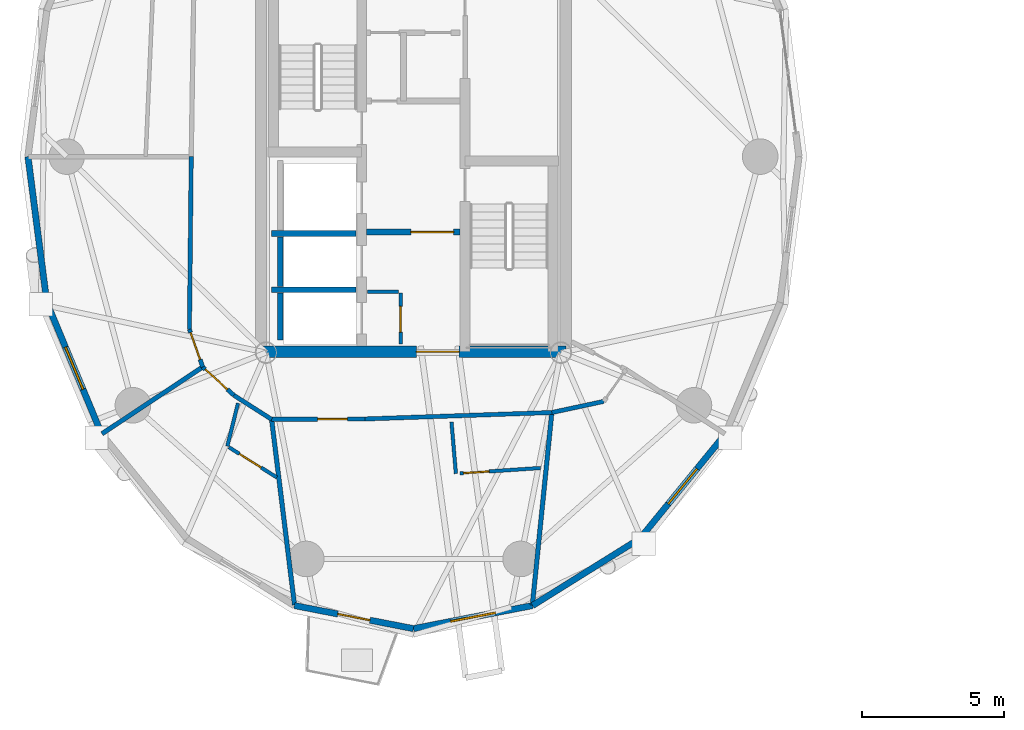
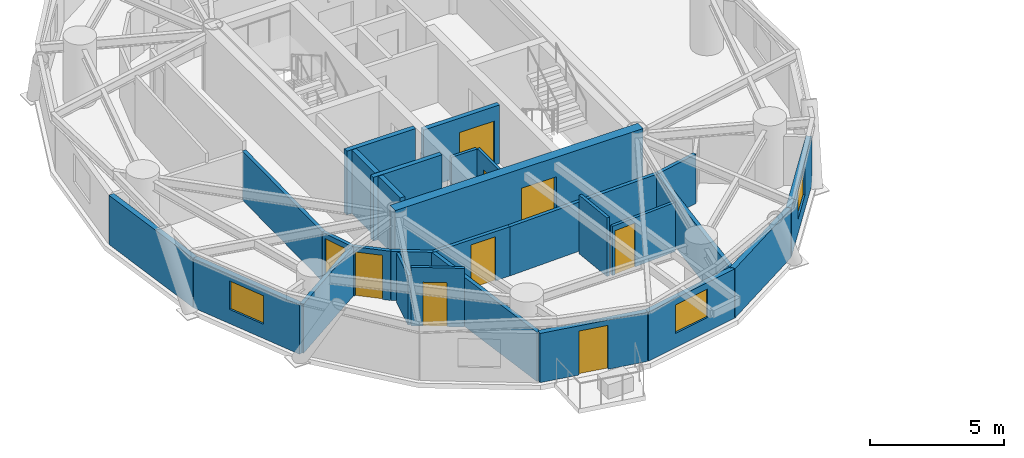
# One storey, part 10 of 19: 28 walls, 9 doors, 3 windows, 12 openings.
"""IFC4 building model written with IfcOpenShell, lengths in metres."""

from ifc_helpers import new_model, si_unit, direction, frame, frame_2d, origin, place, context, subcontext, project, spatial, rectangle, extrude, source, transform, mapped, material, layer, layer_set, type_object, element, fill, save


model = new_model("IFC4")

# Units and contexts
model_context = context("Model", 3, precision=1e-05, world=origin(), true_north=direction((0.0, 1.0)))
body_context = subcontext(model_context, "Body", "Model", "MODEL_VIEW")
ifc_project = project(units=[si_unit("LENGTHUNIT", "METRE"), si_unit("AREAUNIT", "SQUARE_METRE"), si_unit("VOLUMEUNIT", "CUBIC_METRE"), si_unit("PLANEANGLEUNIT", "RADIAN"), si_unit("MASSUNIT", "GRAM", prefix="KILO")], contexts=[model_context])

# Site, building, storey
site_placement = place(None, origin())
site = spatial("IfcSite", under=ifc_project, at=site_placement, CompositionType="ELEMENT")
building_placement = place(site_placement, origin())
building = spatial("IfcBuilding", under=site, at=building_placement, Name="Cununo Teusaquillo Station Towers", CompositionType="ELEMENT")
storey_placement = place(building_placement, frame((0.0, 0.0, 177.7900390625)))
storey = spatial("IfcBuildingStorey", under=building, at=storey_placement, Name="L56", CompositionType="ELEMENT", Elevation=177.7900390625)

# Walls
ifc_material_1 = material(Name="Concrete C50/60", Category="concrete")
ifc_layer_1 = layer(ifc_material_1, 0.199951171875)
ifc_layer_set_1 = layer_set([ifc_layer_1], Name="Concrete C50/60")
wall_type_1 = type_object("IfcWallType", Name="WL-CORE-200", PredefinedType="SHEAR", material=ifc_layer_set_1)
for number, where, z_axis, x_axis, name in (
    (1, (11.52001953125, 21.800048828125, 0.0), (0.0, 0.0, 1.0), (1.0, 0.0, 0.0), "L56 Tower A Firefighting Lift Shaft South Shear Wall"),
    (2, (11.52001953125, 19.824951171875, 0.0), (0.0, 0.0, 1.0), (1.0, 0.0, 0.0), "L56 Tower A High-Rise Lift Hoistway Divider Shear Wall"),
):
    element("IfcWall", number, at=place(storey_placement, frame(where, z_axis=z_axis, x_axis=x_axis)), inside=storey, type_object=wall_type_1, Name=name, PredefinedType="SHEAR", context=body_context, shape_type="SweptSolid", body=[
        extrude(rectangle(XDim=2.969970703125, YDim=0.199951171875, at=frame_2d((1.48486328125, 0.0))), origin(), (0.0, 0.0, 1.0), 2.909912109375),
    ])
wall_1_placement = place(storey_placement, frame((11.820068359375, 19.945068359375, 0.0), z_axis=(0.0, 0.0, 1.0), x_axis=(0.0, 1.0, 0.0)))
element("IfcWall", 3, at=wall_1_placement, inside=storey, type_object=wall_type_1, Name="L56 Tower A High-Rise Lift 2 Shaft Rear Shear Wall", PredefinedType="SHEAR", context=body_context, shape_type="SweptSolid", body=[
    extrude(rectangle(XDim=1.73486328125, YDim=0.199951171875, at=frame_2d((0.867431640625, 0.0))), origin(), (0.0, 0.0, 1.0), 2.909912109375),
])
wall_2_placement = place(storey_placement, frame((11.820068359375, 18.070068359375, 0.0), z_axis=(0.0, 0.0, 1.0), x_axis=(0.0, 1.0, 0.0)))
element("IfcWall", 4, at=wall_2_placement, inside=storey, type_object=wall_type_1, Name="L56 Tower A High-Rise Lift 1 Shaft Rear Shear Wall", PredefinedType="SHEAR", context=body_context, shape_type="SweptSolid", body=[
    extrude(rectangle(XDim=1.635009765625, YDim=0.199951171875, at=frame_2d((0.8173828125, 0.0))), origin(), (0.0, 0.0, 1.0), 2.909912109375),
])

# Wall, opening, door
ifc_material_2 = material(Name="Concrete C50/60", Category="concrete")
ifc_layer_2 = layer(ifc_material_2, 0.39990234375)
ifc_layer_set_2 = layer_set([ifc_layer_2], Name="Concrete C50/60")
wall_type_2 = type_object("IfcWallType", Name="WL-CORE-400", PredefinedType="SHEAR", material=ifc_layer_set_2)
wall_3_placement = place(storey_placement, frame((11.14990234375, 17.64990234375, 0.0), z_axis=(0.0, 0.0, 1.0), x_axis=(1.0, 0.0, 0.0)))
wall_3 = element("IfcWall", 5, at=wall_3_placement, inside=storey, type_object=wall_type_2, Name="L56 Tower A Core Shear Wall S", PredefinedType="SHEAR", context=body_context, shape_type="SweptSolid", body=[
    extrude(rectangle(XDim=10.7001953125, YDim=0.39990234375, at=frame_2d((5.35009765625, 0.0))), origin(), (0.0, 0.0, 1.0), 2.909912109375),
])
shared_shape_1 = source(origin(), body_context, "Body", "SweptSolid", [
    extrude(rectangle(XDim=1.5, YDim=2.02001953125, at=frame_2d((0.75, 1.010009765625))), frame((0.0, 0.2099609375, 0.0), z_axis=(0.0, -1.0, 0.0), x_axis=(1.0, 0.0, 0.0)), (0.0, 0.0, 1.0), 0.419921875),
])
opening_1_placement = place(wall_3_placement, frame((5.449951171875, 0.0, 0.0)))
opening_1 = element("IfcOpeningElement", 6, at=opening_1_placement, cuts=wall_3, Name="Opening D-LB1", PredefinedType="OPENING", context=body_context, shape_type="MappedRepresentation", body=[
    mapped(shared_shape_1, transform((0.0, 0.0, 0.0), x_axis=(1.0, 0.0, 0.0), y_axis=(0.0, 1.0, 0.0), z_axis=(0.0, 0.0, 1.0), scale=1.0)),
])
ifc_material_3 = material(Name="Galvanised fire-rated hollow steel door assembly", Category="steel")
door_type_1 = type_object("IfcDoorType", Name="DR-LOBBY-1500", OperationType="DOUBLE_DOOR_SINGLE_SWING", PredefinedType="DOOR", material=ifc_material_3)
shared_shape_2 = source(origin(), body_context, "Body", "SweptSolid", [
    extrude(rectangle(XDim=1.5, YDim=2.02001953125, at=frame_2d((0.75, 1.010009765625))), frame((0.0, 0.02490234375, 0.0), z_axis=(0.0, -1.0, 0.0), x_axis=(1.0, 0.0, 0.0)), (0.0, 0.0, 1.0), 0.050048828125),
])
door_1_placement = place(opening_1_placement, origin())
door_1 = element("IfcDoor", 7, at=door_1_placement, inside=storey, type_object=door_type_1, Name="L56 Tower A South Core Lift Lobby Door", OperationType="DOUBLE_DOOR_SINGLE_SWING", OverallHeight=2.02001953125, OverallWidth=1.5, PredefinedType="DOOR", context=body_context, shape_type="MappedRepresentation", body=[
    mapped(shared_shape_2, transform((0.0, 0.0, 0.0), x_axis=(1.0, 0.0, 0.0), y_axis=(0.0, 1.0, 0.0), z_axis=(0.0, 0.0, 1.0), scale=1.0)),
])
fill(opening_1, door_1)

# Wall
ifc_material_4 = material(Name="Precast concrete C40/50", Category="concrete")
ifc_layer_3 = layer(ifc_material_4, 0.219970703125)
ifc_layer_set_3 = layer_set([ifc_layer_3], Name="Precast concrete C40/50")
wall_type_3 = type_object("IfcWallType", Name="WL-EXT-220", PredefinedType="SOLIDWALL", material=ifc_layer_set_3)
wall_4_placement = place(storey_placement, frame((3.63134765625, 19.379638671875, 0.0), z_axis=(0.0, 0.0, 1.0), x_axis=(-0.128287912609, 0.991736966881, 0.0)))
element("IfcWall", 8, at=wall_4_placement, inside=storey, type_object=wall_type_3, Name="L56 Tower A Exterior Facade Wall C10", PredefinedType="SOLIDWALL", context=body_context, shape_type="SweptSolid", body=[
    extrude(rectangle(XDim=5.1630859375, YDim=0.219970703125, at=frame_2d((2.58154296875, 0.0))), origin(), (0.0, 0.0, 1.0), 2.244873046875),
])

# Wall, opening, window
wall_5_placement = place(storey_placement, frame((5.55322265625, 14.760498046875, 0.0), z_axis=(0.0, 0.0, 1.0), x_axis=(-0.384144094086, 0.923273152961, 0.0)))
wall_5 = element("IfcWall", 9, at=wall_5_placement, inside=storey, type_object=wall_type_3, Name="L56 Tower A Exterior Facade Wall C11", PredefinedType="SOLIDWALL", context=body_context, shape_type="SweptSolid", body=[
    extrude(rectangle(XDim=5.0029296875, YDim=0.219970703125, at=frame_2d((2.50146484375, 0.0))), origin(), (0.0, 0.0, 1.0), 2.244873046875),
])
shared_shape_3 = source(origin(), body_context, "Body", "SweptSolid", [
    extrude(rectangle(XDim=1.60009765625, YDim=1.300048828125, at=frame_2d((0.800048828125, 0.64990234375))), frame((0.0, 0.119873046875, 0.0), z_axis=(0.0, -1.0, 0.0), x_axis=(1.0, 0.0, 0.0)), (0.0, 0.0, 1.0), 0.239990234375),
])
opening_2_placement = place(wall_5_placement, frame((1.701904296875, 0.0, 0.64990234375)))
opening_2 = element("IfcOpeningElement", 10, at=opening_2_placement, cuts=wall_5, Name="Opening WN-03", PredefinedType="OPENING", context=body_context, shape_type="MappedRepresentation", body=[
    mapped(shared_shape_3, transform((0.0, 0.0, 0.0), x_axis=(1.0, 0.0, 0.0), y_axis=(0.0, 1.0, 0.0), z_axis=(0.0, 0.0, 1.0), scale=1.0)),
])
ifc_material_5 = material(Name="Ceramic-fritted dark low-E double glazing", Category="glass")
window_type = type_object("IfcWindowType", Name="WIN-CORN-1600", PartitioningType="SINGLE_PANEL", PredefinedType="WINDOW", material=ifc_material_5)
shared_shape_4 = source(origin(), body_context, "Body", "SweptSolid", [
    extrude(rectangle(XDim=1.60009765625, YDim=1.300048828125, at=frame_2d((0.800048828125, 0.64990234375))), frame((0.0, 0.030029296875, 0.0), z_axis=(0.0, -1.0, 0.0), x_axis=(1.0, 0.0, 0.0)), (0.0, 0.0, 1.0), 0.06005859375),
])
window_1_placement = place(opening_2_placement, origin())
window_1 = element("IfcWindow", 11, at=window_1_placement, inside=storey, type_object=window_type, Name="L56 Tower A Facade Window C11", OverallHeight=1.300048828125, OverallWidth=1.60009765625, PartitioningType="SINGLE_PANEL", PredefinedType="WINDOW", context=body_context, shape_type="MappedRepresentation", body=[
    mapped(shared_shape_4, transform((0.0, 0.0, 0.0), x_axis=(1.0, 0.0, 0.0), y_axis=(0.0, 1.0, 0.0), z_axis=(0.0, 0.0, 1.0), scale=1.0)),
])
fill(opening_2, window_1)

# Wall, opening, door
wall_6_placement = place(storey_placement, frame((16.5, 7.929931640625, 0.0), z_axis=(0.0, 0.0, 1.0), x_axis=(-0.981703883443, 0.190413983815, 0.0)))
wall_6 = element("IfcWall", 12, at=wall_6_placement, inside=storey, type_object=wall_type_3, Name="L56 Tower A Exterior Facade Wall C14", PredefinedType="SOLIDWALL", context=body_context, shape_type="SweptSolid", body=[
    extrude(rectangle(XDim=4.25927734375, YDim=0.219970703125, at=frame_2d((2.129638671875, 0.0))), origin(), (0.0, 0.0, 1.0), 2.244873046875),
])
shared_shape_5 = source(origin(), body_context, "Body", "SweptSolid", [
    extrude(rectangle(XDim=1.14990234375, YDim=2.0048828125, at=frame_2d((0.574951171875, 1.00244140625))), frame((0.0, 0.119873046875, 0.0), z_axis=(0.0, -1.0, 0.0), x_axis=(1.0, 0.0, 0.0)), (0.0, 0.0, 1.0), 0.239990234375),
])
opening_3_placement = place(wall_6_placement, frame((1.554931640625, 0.0, 0.0)))
opening_3 = element("IfcOpeningElement", 13, at=opening_3_placement, cuts=wall_6, Name="Opening ED-03", PredefinedType="OPENING", context=body_context, shape_type="MappedRepresentation", body=[
    mapped(shared_shape_5, transform((0.0, 0.0, 0.0), x_axis=(1.0, 0.0, 0.0), y_axis=(0.0, 1.0, 0.0), z_axis=(0.0, 0.0, 1.0), scale=1.0)),
])
ifc_material_6 = material(Name="Anodised dark bronze aluminium EN AW-6063-T6", Category="aluminium")
door_type_2 = type_object("IfcDoorType", Name="DR-EXT-BAL", OperationType="NOTDEFINED", PredefinedType="DOOR", material=ifc_material_6)
shared_shape_6 = source(origin(), body_context, "Body", "SweptSolid", [
    extrude(rectangle(XDim=1.14990234375, YDim=2.0048828125, at=frame_2d((0.574951171875, 1.00244140625))), frame((0.0, 0.02490234375, 0.0), z_axis=(0.0, -1.0, 0.0), x_axis=(1.0, 0.0, 0.0)), (0.0, 0.0, 1.0), 0.050048828125),
])
door_2_placement = place(opening_3_placement, origin())
door_2 = element("IfcDoor", 14, at=door_2_placement, inside=storey, type_object=door_type_2, Name="L56 Tower A Tree Balcony Door C14", OperationType="SINGLE_SWING_LEFT", OverallHeight=2.0048828125, OverallWidth=1.14990234375, PredefinedType="DOOR", context=body_context, shape_type="MappedRepresentation", body=[
    mapped(shared_shape_6, transform((0.0, 0.0, 0.0), x_axis=(1.0, 0.0, 0.0), y_axis=(0.0, 1.0, 0.0), z_axis=(0.0, 0.0, 1.0), scale=1.0)),
])
fill(opening_3, door_2)

# Wall, opening, window
wall_7_placement = place(storey_placement, frame((20.681396484375, 8.740966796875, 0.0), z_axis=(0.0, 0.0, 1.0), x_axis=(-0.981703883443, -0.190413983815, 0.0)))
wall_7 = element("IfcWall", 15, at=wall_7_placement, inside=storey, type_object=wall_type_3, Name="L56 Tower A Exterior Facade Wall C15", PredefinedType="SOLIDWALL", context=body_context, shape_type="SweptSolid", body=[
    extrude(rectangle(XDim=4.25927734375, YDim=0.219970703125, at=frame_2d((2.129638671875, 0.0))), origin(), (0.0, 0.0, 1.0), 2.244873046875),
])
opening_4_placement = place(wall_7_placement, frame((1.330078125, 0.0, 0.64990234375)))
opening_4 = element("IfcOpeningElement", 16, at=opening_4_placement, cuts=wall_7, Name="Opening WN-03", PredefinedType="OPENING", context=body_context, shape_type="MappedRepresentation", body=[
    mapped(shared_shape_3, transform((0.0, 0.0, 0.0), x_axis=(1.0, 0.0, 0.0), y_axis=(0.0, 1.0, 0.0), z_axis=(0.0, 0.0, 1.0), scale=1.0)),
])
window_2_placement = place(opening_4_placement, origin())
window_2 = element("IfcWindow", 17, at=window_2_placement, inside=storey, type_object=window_type, Name="L56 Tower A Facade Window C15", OverallHeight=1.300048828125, OverallWidth=1.60009765625, PartitioningType="SINGLE_PANEL", PredefinedType="WINDOW", context=body_context, shape_type="MappedRepresentation", body=[
    mapped(shared_shape_4, transform((0.0, 0.0, 0.0), x_axis=(1.0, 0.0, 0.0), y_axis=(0.0, 1.0, 0.0), z_axis=(0.0, 0.0, 1.0), scale=1.0)),
])
fill(opening_4, window_2)

# Wall
wall_8_placement = place(storey_placement, frame((24.453369140625, 11.094482421875, 0.0), z_axis=(0.0, 0.0, 1.0), x_axis=(-0.848399108042, -0.529357113368, 0.0)))
element("IfcWall", 18, at=wall_8_placement, inside=storey, type_object=wall_type_3, Name="L56 Tower A Exterior Facade Wall C16", PredefinedType="SOLIDWALL", context=body_context, shape_type="SweptSolid", body=[
    extrude(rectangle(XDim=4.446044921875, YDim=0.219970703125, at=frame_2d((2.22314453125, 0.0))), origin(), (0.0, 0.0, 1.0), 2.244873046875),
])

# Wall, opening, window
wall_9_placement = place(storey_placement, frame((27.44677734375, 14.760498046875, 0.0), z_axis=(0.0, 0.0, 1.0), x_axis=(-0.632470615287, -0.774584353572, 0.0)))
wall_9 = element("IfcWall", 19, at=wall_9_placement, inside=storey, type_object=wall_type_3, Name="L56 Tower A Exterior Facade Wall C17", PredefinedType="SOLIDWALL", context=body_context, shape_type="SweptSolid", body=[
    extrude(rectangle(XDim=4.73291015625, YDim=0.219970703125, at=frame_2d((2.366455078125, 0.0))), origin(), (0.0, 0.0, 1.0), 2.244873046875),
])
opening_5_placement = place(wall_9_placement, frame((1.56591796875, 0.0, 0.64990234375)))
opening_5 = element("IfcOpeningElement", 20, at=opening_5_placement, cuts=wall_9, Name="Opening WN-03", PredefinedType="OPENING", context=body_context, shape_type="MappedRepresentation", body=[
    mapped(shared_shape_3, transform((0.0, 0.0, 0.0), x_axis=(1.0, 0.0, 0.0), y_axis=(0.0, 1.0, 0.0), z_axis=(0.0, 0.0, 1.0), scale=1.0)),
])
window_3_placement = place(opening_5_placement, origin())
window_3 = element("IfcWindow", 21, at=window_3_placement, inside=storey, type_object=window_type, Name="L56 Tower A Facade Window C17", OverallHeight=1.300048828125, OverallWidth=1.60009765625, PartitioningType="SINGLE_PANEL", PredefinedType="WINDOW", context=body_context, shape_type="MappedRepresentation", body=[
    mapped(shared_shape_4, transform((0.0, 0.0, 0.0), x_axis=(1.0, 0.0, 0.0), y_axis=(0.0, 1.0, 0.0), z_axis=(0.0, 0.0, 1.0), scale=1.0)),
])
fill(opening_5, window_3)

# Wall, opening, door
ifc_material_7 = material(Name="Fire-rated gypsum plasterboard partition assembly", Category="gypsum")
ifc_layer_4 = layer(ifc_material_7, 0.125)
ifc_layer_set_4 = layer_set([ifc_layer_4], Name="Fire-rated gypsum plasterboard partition assembly")
wall_type_4 = type_object("IfcWallType", Name="WL-PART-125", PredefinedType="PARTITIONING", material=ifc_layer_set_4)
wall_10_placement = place(storey_placement, frame((16.050048828125, 17.919921875, 0.0), z_axis=(0.0, 0.0, 1.0), x_axis=(0.0, 1.0, 0.0)))
wall_10 = element("IfcWall", 22, at=wall_10_placement, inside=storey, type_object=wall_type_4, Name="L56 Tower A South-West Compact Store East Wall", PredefinedType="PARTITIONING", context=body_context, shape_type="SweptSolid", body=[
    extrude(rectangle(XDim=1.800048828125, YDim=0.125, at=frame_2d((0.89990234375, 0.0))), origin(), (0.0, 0.0, 1.0), 2.675048828125),
])
shared_shape_7 = source(origin(), body_context, "Body", "SweptSolid", [
    extrude(rectangle(XDim=0.89990234375, YDim=2.0048828125, at=frame_2d((0.449951171875, 1.00244140625))), frame((0.0, 0.072509765625, 0.0), z_axis=(0.0, -1.0, 0.0), x_axis=(1.0, 0.0, 0.0)), (0.0, 0.0, 1.0), 0.14501953125),
])
opening_6_placement = place(wall_10_placement, frame((0.419921875, 0.0, 0.0)))
opening_6 = element("IfcOpeningElement", 23, at=opening_6_placement, cuts=wall_10, Name="Opening D-SR1", PredefinedType="OPENING", context=body_context, shape_type="MappedRepresentation", body=[
    mapped(shared_shape_7, transform((0.0, 0.0, 0.0), x_axis=(1.0, 0.0, 0.0), y_axis=(0.0, 1.0, 0.0), z_axis=(0.0, 0.0, 1.0), scale=1.0)),
])
ifc_material_8 = material(Name="Galvanised fire-rated hollow steel door assembly", Category="steel")
door_type_3 = type_object("IfcDoorType", Name="DR-STORE-900", OperationType="NOTDEFINED", PredefinedType="DOOR", material=ifc_material_8)
shared_shape_8 = source(origin(), body_context, "Body", "SweptSolid", [
    extrude(rectangle(XDim=0.89990234375, YDim=2.0048828125, at=frame_2d((0.449951171875, 1.00244140625))), frame((0.0, 0.02490234375, 0.0), z_axis=(0.0, -1.0, 0.0), x_axis=(1.0, 0.0, 0.0)), (0.0, 0.0, 1.0), 0.050048828125),
])
door_3_placement = place(opening_6_placement, origin())
door_3 = element("IfcDoor", 24, at=door_3_placement, inside=storey, type_object=door_type_3, Name="L56 Tower A Core Electrical & Comms Store Door", OperationType="SINGLE_SWING_RIGHT", OverallHeight=2.0048828125, OverallWidth=0.89990234375, PredefinedType="DOOR", context=body_context, shape_type="MappedRepresentation", body=[
    mapped(shared_shape_8, transform((0.0, 0.0, 0.0), x_axis=(1.0, 0.0, 0.0), y_axis=(0.0, 1.0, 0.0), z_axis=(0.0, 0.0, 1.0), scale=1.0)),
])
fill(opening_6, door_3)

# Walls
wall_11_placement = place(storey_placement, frame((14.8798828125, 19.75, 0.0), z_axis=(0.0, 0.0, 1.0), x_axis=(1.0, 0.0, 0.0)))
element("IfcWall", 25, at=wall_11_placement, inside=storey, type_object=wall_type_4, Name="L56 Tower A South-West Compact Store North Wall", PredefinedType="PARTITIONING", context=body_context, shape_type="SweptSolid", body=[
    extrude(rectangle(XDim=1.10009765625, YDim=0.125, at=frame_2d((0.550048828125, 0.0))), origin(), (0.0, 0.0, 1.0), 2.675048828125),
])
wall_12_placement = place(storey_placement, frame((10.343017578125, 15.8466796875, 0.0), z_axis=(0.0, 0.0, 1.0), x_axis=(-0.240988864291, -0.970527880737, 0.0)))
element("IfcWall", 26, at=wall_12_placement, inside=storey, type_object=wall_type_4, Name="L56 Tower A S05 En-suite Side Wall", PredefinedType="PARTITIONING", context=body_context, shape_type="SweptSolid", body=[
    extrude(rectangle(XDim=1.56005859375, YDim=0.125, at=frame_2d((0.780029296875, 0.0))), origin(), (0.0, 0.0, 1.0), 2.244873046875),
])

# Wall, opening, door
wall_13_placement = place(storey_placement, frame((10.019775390625, 14.29931640625, 0.0), z_axis=(0.0, 0.0, 1.0), x_axis=(0.846015763056, -0.533157883427, 0.0)))
wall_13 = element("IfcWall", 27, at=wall_13_placement, inside=storey, type_object=wall_type_4, Name="L56 Tower A S05 En-suite Back Wall", PredefinedType="PARTITIONING", context=body_context, shape_type="SweptSolid", body=[
    extrude(rectangle(XDim=1.991455078125, YDim=0.125, at=frame_2d((0.99560546875, 0.0))), origin(), (0.0, 0.0, 1.0), 2.675048828125),
])
opening_7_placement = place(wall_13_placement, frame((0.439208984375, 0.0, 0.0)))
opening_7 = element("IfcOpeningElement", 28, at=opening_7_placement, cuts=wall_13, Name="Opening D-IN1", PredefinedType="OPENING", context=body_context, shape_type="MappedRepresentation", body=[
    mapped(shared_shape_7, transform((0.0, 0.0, 0.0), x_axis=(1.0, 0.0, 0.0), y_axis=(0.0, 1.0, 0.0), z_axis=(0.0, 0.0, 1.0), scale=1.0)),
])
ifc_material_9 = material(Name="Acoustic solid-core hardwood leaf assembly", Category="wood")
door_type_4 = type_object("IfcDoorType", Name="DR-INT-900", OperationType="NOTDEFINED", PredefinedType="DOOR", material=ifc_material_9)
door_4_placement = place(opening_7_placement, origin())
door_4 = element("IfcDoor", 29, at=door_4_placement, inside=storey, type_object=door_type_4, Name="L56 Tower A S05 En-suite Bathroom Door", OperationType="SINGLE_SWING_LEFT", OverallHeight=2.0048828125, OverallWidth=0.89990234375, PredefinedType="DOOR", context=body_context, shape_type="MappedRepresentation", body=[
    mapped(shared_shape_8, transform((0.0, 0.0, 0.0), x_axis=(1.0, 0.0, 0.0), y_axis=(0.0, 1.0, 0.0), z_axis=(0.0, 0.0, 1.0), scale=1.0)),
])
fill(opening_7, door_4)

# Wall
wall_14_placement = place(storey_placement, frame((17.835693359375, 15.182373046875, 0.0), z_axis=(0.0, 0.0, 1.0), x_axis=(0.084856554172, -0.996393178025, 0.0)))
element("IfcWall", 30, at=wall_14_placement, inside=storey, type_object=wall_type_4, Name="L56 Tower A S06 En-suite Side Wall", PredefinedType="PARTITIONING", context=body_context, shape_type="SweptSolid", body=[
    extrude(rectangle(XDim=1.818359375, YDim=0.125, at=frame_2d((0.9091796875, 0.0))), origin(), (0.0, 0.0, 1.0), 2.675048828125),
])

# Wall, opening, door
wall_15_placement = place(storey_placement, frame((18.136962890625, 13.38037109375, 0.0), z_axis=(0.0, 0.0, 1.0), x_axis=(0.997767152953, 0.066788535611, 0.0)))
wall_15 = element("IfcWall", 31, at=wall_15_placement, inside=storey, type_object=wall_type_4, Name="L56 Tower A S06 En-suite Back Wall", PredefinedType="PARTITIONING", context=body_context, shape_type="SweptSolid", body=[
    extrude(rectangle(XDim=2.82568359375, YDim=0.125, at=frame_2d((1.412841796875, 0.0))), origin(), (0.0, 0.0, 1.0), 2.244873046875),
])
opening_8_placement = place(wall_15_placement, frame((0.1201171875, 0.0, 0.0)))
opening_8 = element("IfcOpeningElement", 32, at=opening_8_placement, cuts=wall_15, Name="Opening D-IN1", PredefinedType="OPENING", context=body_context, shape_type="MappedRepresentation", body=[
    mapped(shared_shape_7, transform((0.0, 0.0, 0.0), x_axis=(1.0, 0.0, 0.0), y_axis=(0.0, 1.0, 0.0), z_axis=(0.0, 0.0, 1.0), scale=1.0)),
])
door_5_placement = place(opening_8_placement, origin())
door_5 = element("IfcDoor", 33, at=door_5_placement, inside=storey, type_object=door_type_4, Name="L56 Tower A S06 En-suite Bathroom Door", OperationType="SINGLE_SWING_LEFT", OverallHeight=2.0048828125, OverallWidth=0.89990234375, PredefinedType="DOOR", context=body_context, shape_type="MappedRepresentation", body=[
    mapped(shared_shape_8, transform((0.0, 0.0, 0.0), x_axis=(1.0, 0.0, 0.0), y_axis=(0.0, 1.0, 0.0), z_axis=(0.0, 0.0, 1.0), scale=1.0)),
])
fill(opening_8, door_5)

# Wall
ifc_material_10 = material(Name="Fire-rated gypsum plasterboard partition assembly", Category="gypsum")
ifc_layer_5 = layer(ifc_material_10, 0.14990234375)
ifc_layer_set_5 = layer_set([ifc_layer_5], Name="Fire-rated gypsum plasterboard partition assembly")
wall_type_5 = type_object("IfcWallType", Name="WL-PART-150", PredefinedType="PARTITIONING", material=ifc_layer_set_5)
wall_16_placement = place(storey_placement, frame((8.699951171875, 24.5, 0.0), z_axis=(0.0, 0.0, 1.0), x_axis=(-0.010507512335, -0.999944794568, 0.0)))
element("IfcWall", 34, at=wall_16_placement, inside=storey, type_object=wall_type_5, Name="L56 Tower A Corridor Ring Wall C10", PredefinedType="PARTITIONING", context=body_context, shape_type="SweptSolid", body=[
    extrude(rectangle(XDim=6.064208984375, YDim=0.14990234375, at=frame_2d((3.0322265625, 0.0))), origin(), (0.0, 0.0, 1.0), 2.244873046875),
])

# Wall, opening, door
wall_17_placement = place(storey_placement, frame((8.63623046875, 18.43603515625, 0.0), z_axis=(0.0, 0.0, 1.0), x_axis=(0.333211866524, -0.942851977782, 0.0)))
wall_17 = element("IfcWall", 35, at=wall_17_placement, inside=storey, type_object=wall_type_5, Name="L56 Tower A Corridor Ring Wall C11", PredefinedType="PARTITIONING", context=body_context, shape_type="SweptSolid", body=[
    extrude(rectangle(XDim=1.401611328125, YDim=0.14990234375, at=frame_2d((0.70068359375, 0.0))), origin(), (0.0, 0.0, 1.0), 2.244873046875),
])
shared_shape_9 = source(origin(), body_context, "Body", "SweptSolid", [
    extrude(rectangle(XDim=1.0, YDim=2.014892578125, at=frame_2d((0.5, 1.00732421875))), frame((0.0, 0.0849609375, 0.0), z_axis=(0.0, -1.0, 0.0), x_axis=(1.0, 0.0, 0.0)), (0.0, 0.0, 1.0), 0.169921875),
])
opening_9_placement = place(wall_17_placement, frame((0.1201171875, 0.0, 0.0)))
opening_9 = element("IfcOpeningElement", 36, at=opening_9_placement, cuts=wall_17, Name="Opening D-AC1", PredefinedType="OPENING", context=body_context, shape_type="MappedRepresentation", body=[
    mapped(shared_shape_9, transform((0.0, 0.0, 0.0), x_axis=(1.0, 0.0, 0.0), y_axis=(0.0, 1.0, 0.0), z_axis=(0.0, 0.0, 1.0), scale=1.0)),
])
ifc_material_11 = material(Name="Acoustic solid-core hardwood leaf assembly", Category="wood")
door_type_5 = type_object("IfcDoorType", Name="DR-ACC-1000", OperationType="NOTDEFINED", PredefinedType="DOOR", material=ifc_material_11)
shared_shape_10 = source(origin(), body_context, "Body", "SweptSolid", [
    extrude(rectangle(XDim=1.0, YDim=2.014892578125, at=frame_2d((0.5, 1.00732421875))), frame((0.0, 0.02490234375, 0.0), z_axis=(0.0, -1.0, 0.0), x_axis=(1.0, 0.0, 0.0)), (0.0, 0.0, 1.0), 0.050048828125),
])
door_6_placement = place(opening_9_placement, origin())
door_6 = element("IfcDoor", 37, at=door_6_placement, inside=storey, type_object=door_type_5, Name="L56 Tower A Public Accessible Restroom WC Entrance Door", OperationType="SINGLE_SWING_LEFT", OverallHeight=2.014892578125, OverallWidth=1.0, PredefinedType="DOOR", context=body_context, shape_type="MappedRepresentation", body=[
    mapped(shared_shape_10, transform((0.0, 0.0, 0.0), x_axis=(1.0, 0.0, 0.0), y_axis=(0.0, 1.0, 0.0), z_axis=(0.0, 0.0, 1.0), scale=1.0)),
])
fill(opening_9, door_6)

wall_18_placement = place(storey_placement, frame((9.103271484375, 17.114501953125, 0.0), z_axis=(0.0, 0.0, 1.0), x_axis=(0.740186897911, -0.672401186912, 0.0)))
wall_18 = element("IfcWall", 38, at=wall_18_placement, inside=storey, type_object=wall_type_5, Name="L56 Tower A Corridor Ring Wall C12", PredefinedType="PARTITIONING", context=body_context, shape_type="SweptSolid", body=[
    extrude(rectangle(XDim=1.4765625, YDim=0.14990234375, at=frame_2d((0.73828125, 0.0))), origin(), (0.0, 0.0, 1.0), 2.244873046875),
])
shared_shape_11 = source(origin(), body_context, "Body", "SweptSolid", [
    extrude(rectangle(XDim=1.050048828125, YDim=2.014892578125, at=frame_2d((0.52490234375, 1.00732421875))), frame((0.0, 0.0849609375, 0.0), z_axis=(0.0, -1.0, 0.0), x_axis=(1.0, 0.0, 0.0)), (0.0, 0.0, 1.0), 0.169921875),
])
opening_10_placement = place(wall_18_placement, frame((0.1201171875, 0.0, 0.0)))
opening_10 = element("IfcOpeningElement", 39, at=opening_10_placement, cuts=wall_18, Name="Opening D-SU1", PredefinedType="OPENING", context=body_context, shape_type="MappedRepresentation", body=[
    mapped(shared_shape_11, transform((0.0, 0.0, 0.0), x_axis=(1.0, 0.0, 0.0), y_axis=(0.0, 1.0, 0.0), z_axis=(0.0, 0.0, 1.0), scale=1.0)),
])
ifc_material_12 = material(Name="Acoustic solid-core hardwood leaf assembly", Category="wood")
door_type_6 = type_object("IfcDoorType", Name="DR-SUITE-1050", OperationType="NOTDEFINED", PredefinedType="DOOR", material=ifc_material_12)
shared_shape_12 = source(origin(), body_context, "Body", "SweptSolid", [
    extrude(rectangle(XDim=1.050048828125, YDim=2.014892578125, at=frame_2d((0.52490234375, 1.00732421875))), frame((0.0, 0.02490234375, 0.0), z_axis=(0.0, -1.0, 0.0), x_axis=(1.0, 0.0, 0.0)), (0.0, 0.0, 1.0), 0.050048828125),
])
door_7_placement = place(opening_10_placement, origin())
door_7 = element("IfcDoor", 40, at=door_7_placement, inside=storey, type_object=door_type_6, Name="L56 Tower A Emerald Horizon Hotel Suite Entrance Door", OperationType="SINGLE_SWING_RIGHT", OverallHeight=2.014892578125, OverallWidth=1.050048828125, PredefinedType="DOOR", context=body_context, shape_type="MappedRepresentation", body=[
    mapped(shared_shape_12, transform((0.0, 0.0, 0.0), x_axis=(1.0, 0.0, 0.0), y_axis=(0.0, 1.0, 0.0), z_axis=(0.0, 0.0, 1.0), scale=1.0)),
])
fill(opening_10, door_7)

# Wall
wall_19_placement = place(storey_placement, frame((10.1962890625, 16.12158203125, 0.0), z_axis=(0.0, 0.0, 1.0), x_axis=(0.843021142441, -0.537880426673, 0.0)))
element("IfcWall", 41, at=wall_19_placement, inside=storey, type_object=wall_type_5, Name="L56 Tower A Corridor Ring Wall C13", PredefinedType="PARTITIONING", context=body_context, shape_type="SweptSolid", body=[
    extrude(rectangle(XDim=1.5712890625, YDim=0.14990234375, at=frame_2d((0.78564453125, 0.0))), origin(), (0.0, 0.0, 1.0), 2.244873046875),
])

# Wall, opening, door
wall_20_placement = place(storey_placement, frame((11.52099609375, 15.2763671875, 0.0), z_axis=(0.0, 0.0, 1.0), x_axis=(0.999990688463, 0.004315436007, 0.0)))
wall_20 = element("IfcWall", 42, at=wall_20_placement, inside=storey, type_object=wall_type_5, Name="L56 Tower A Corridor Ring Wall C14", PredefinedType="PARTITIONING", context=body_context, shape_type="SweptSolid", body=[
    extrude(rectangle(XDim=3.28125, YDim=0.14990234375, at=frame_2d((1.640625, 0.0))), origin(), (0.0, 0.0, 1.0), 2.244873046875),
])
opening_11_placement = place(wall_20_placement, frame((1.61328125, 0.0, 0.0)))
opening_11 = element("IfcOpeningElement", 43, at=opening_11_placement, cuts=wall_20, Name="Opening D-SU1", PredefinedType="OPENING", context=body_context, shape_type="MappedRepresentation", body=[
    mapped(shared_shape_11, transform((0.0, 0.0, 0.0), x_axis=(1.0, 0.0, 0.0), y_axis=(0.0, 1.0, 0.0), z_axis=(0.0, 0.0, 1.0), scale=1.0)),
])
door_8_placement = place(opening_11_placement, origin())
door_8 = element("IfcDoor", 44, at=door_8_placement, inside=storey, type_object=door_type_6, Name="L56 Tower A Paramo View Hotel Suite Entrance Door", OperationType="SINGLE_SWING_RIGHT", OverallHeight=2.014892578125, OverallWidth=1.050048828125, PredefinedType="DOOR", context=body_context, shape_type="MappedRepresentation", body=[
    mapped(shared_shape_12, transform((0.0, 0.0, 0.0), x_axis=(1.0, 0.0, 0.0), y_axis=(0.0, 1.0, 0.0), z_axis=(0.0, 0.0, 1.0), scale=1.0)),
])
fill(opening_11, door_8)

# Walls
wall_21_placement = place(storey_placement, frame((14.80224609375, 15.29052734375, 0.0), z_axis=(0.0, 0.0, 1.0), x_axis=(0.999405778293, 0.034468686011, 0.0)))
element("IfcWall", 45, at=wall_21_placement, inside=storey, type_object=wall_type_5, Name="L56 Tower A Corridor Ring Wall C15", PredefinedType="PARTITIONING", context=body_context, shape_type="SweptSolid", body=[
    extrude(rectangle(XDim=6.558837890625, YDim=0.14990234375, at=frame_2d((3.279296875, 0.0))), origin(), (0.0, 0.0, 1.0), 2.244873046875),
])
wall_22_placement = place(storey_placement, frame((21.357177734375, 15.5166015625, 0.0), z_axis=(0.0, 0.0, 1.0), x_axis=(0.977773676035, 0.209663154733, 0.0)))
element("IfcWall", 46, at=wall_22_placement, inside=storey, type_object=wall_type_5, Name="L56 Tower A Corridor Ring Wall C16", PredefinedType="PARTITIONING", context=body_context, shape_type="SweptSolid", body=[
    extrude(rectangle(XDim=1.865478515625, YDim=0.14990234375, at=frame_2d((0.9326171875, 0.0))), origin(), (0.0, 0.0, 1.0), 2.244873046875),
])
ifc_material_13 = material(Name="Fire-rated gypsum plasterboard partition assembly", Category="gypsum")
ifc_layer_6 = layer(ifc_material_13, 0.159912109375)
ifc_layer_set_6 = layer_set([ifc_layer_6], Name="Fire-rated gypsum plasterboard partition assembly")
wall_type_6 = type_object("IfcWallType", Name="WL-PART-160", PredefinedType="PARTITIONING", material=ifc_layer_set_6)
wall_23_placement = place(storey_placement, frame((9.103271484375, 17.114501953125, 0.0), z_axis=(0.0, 0.0, 1.0), x_axis=(-0.833535637115, -0.552465692745, 0.0)))
element("IfcWall", 47, at=wall_23_placement, inside=storey, type_object=wall_type_6, Name="L56 Tower A Radial Suite Partition R05", PredefinedType="PARTITIONING", context=body_context, shape_type="SweptSolid", body=[
    extrude(rectangle(XDim=4.23974609375, YDim=0.159912109375, at=frame_2d((2.119873046875, 0.0))), origin(), (0.0, 0.0, 1.0), 2.244873046875),
])
wall_24_placement = place(storey_placement, frame((11.52099609375, 15.2763671875, 0.0), z_axis=(0.0, 0.0, 1.0), x_axis=(0.122446537769, -0.992475110715, 0.0)))
element("IfcWall", 48, at=wall_24_placement, inside=storey, type_object=wall_type_6, Name="L56 Tower A Radial Suite Partition R06", PredefinedType="PARTITIONING", context=body_context, shape_type="SweptSolid", body=[
    extrude(rectangle(XDim=6.565673828125, YDim=0.159912109375, at=frame_2d((3.28271484375, 0.0))), origin(), (0.0, 0.0, 1.0), 2.244873046875),
])
wall_25_placement = place(storey_placement, frame((21.357177734375, 15.5166015625, 0.0), z_axis=(0.0, 0.0, 1.0), x_axis=(-0.100446941693, -0.994942416376, 0.0)))
element("IfcWall", 49, at=wall_25_placement, inside=storey, type_object=wall_type_6, Name="L56 Tower A Radial Suite Partition R07", PredefinedType="PARTITIONING", context=body_context, shape_type="SweptSolid", body=[
    extrude(rectangle(XDim=6.791015625, YDim=0.159912109375, at=frame_2d((3.3955078125, 0.0))), origin(), (0.0, 0.0, 1.0), 2.244873046875),
])

# Wall, opening, door
ifc_material_14 = material(Name="Fire-rated gypsum plasterboard partition assembly", Category="gypsum")
ifc_layer_7 = layer(ifc_material_14, 0.199951171875)
ifc_layer_set_7 = layer_set([ifc_layer_7], Name="Fire-rated gypsum plasterboard partition assembly")
wall_type_7 = type_object("IfcWallType", Name="WL-PART-200", PredefinedType="PARTITIONING", material=ifc_layer_set_7)
wall_26_placement = place(storey_placement, frame((14.860107421875, 21.85009765625, 0.0), z_axis=(0.0, 0.0, 1.0), x_axis=(1.0, 0.0, 0.0)))
wall_26 = element("IfcWall", 50, at=wall_26_placement, inside=storey, type_object=wall_type_7, Name="L56 Tower A Firefighting Lift Lobby South Fire Wall", PredefinedType="PARTITIONING", context=body_context, shape_type="SweptSolid", body=[
    extrude(rectangle(XDim=3.27978515625, YDim=0.199951171875, at=frame_2d((1.639892578125, 0.0))), origin(), (0.0, 0.0, 1.0), 2.675048828125),
])
shared_shape_13 = source(origin(), body_context, "Body", "SweptSolid", [
    extrude(rectangle(XDim=1.5, YDim=2.02001953125, at=frame_2d((0.75, 1.010009765625))), frame((0.0, 0.10986328125, 0.0), z_axis=(0.0, -1.0, 0.0), x_axis=(1.0, 0.0, 0.0)), (0.0, 0.0, 1.0), 0.219970703125),
])
opening_12_placement = place(wall_26_placement, frame((1.550048828125, 0.0, 0.0)))
opening_12 = element("IfcOpeningElement", 51, at=opening_12_placement, cuts=wall_26, Name="Opening D-LB1", PredefinedType="OPENING", context=body_context, shape_type="MappedRepresentation", body=[
    mapped(shared_shape_13, transform((0.0, 0.0, 0.0), x_axis=(1.0, 0.0, 0.0), y_axis=(0.0, 1.0, 0.0), z_axis=(0.0, 0.0, 1.0), scale=1.0)),
])
door_9_placement = place(opening_12_placement, origin())
door_9 = element("IfcDoor", 52, at=door_9_placement, inside=storey, type_object=door_type_1, Name="L56 Tower A Firefighting Lift Lobby South Fire Door", OperationType="DOUBLE_DOOR_SINGLE_SWING", OverallHeight=2.02001953125, OverallWidth=1.5, PredefinedType="DOOR", context=body_context, shape_type="MappedRepresentation", body=[
    mapped(shared_shape_2, transform((0.0, 0.0, 0.0), x_axis=(1.0, 0.0, 0.0), y_axis=(0.0, 1.0, 0.0), z_axis=(0.0, 0.0, 1.0), scale=1.0)),
])
fill(opening_12, door_9)

save(model, "model.ifc")
